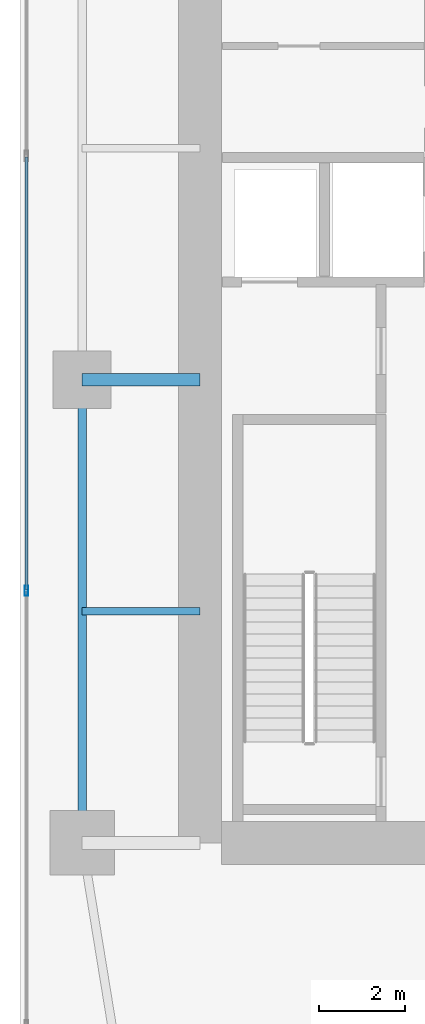
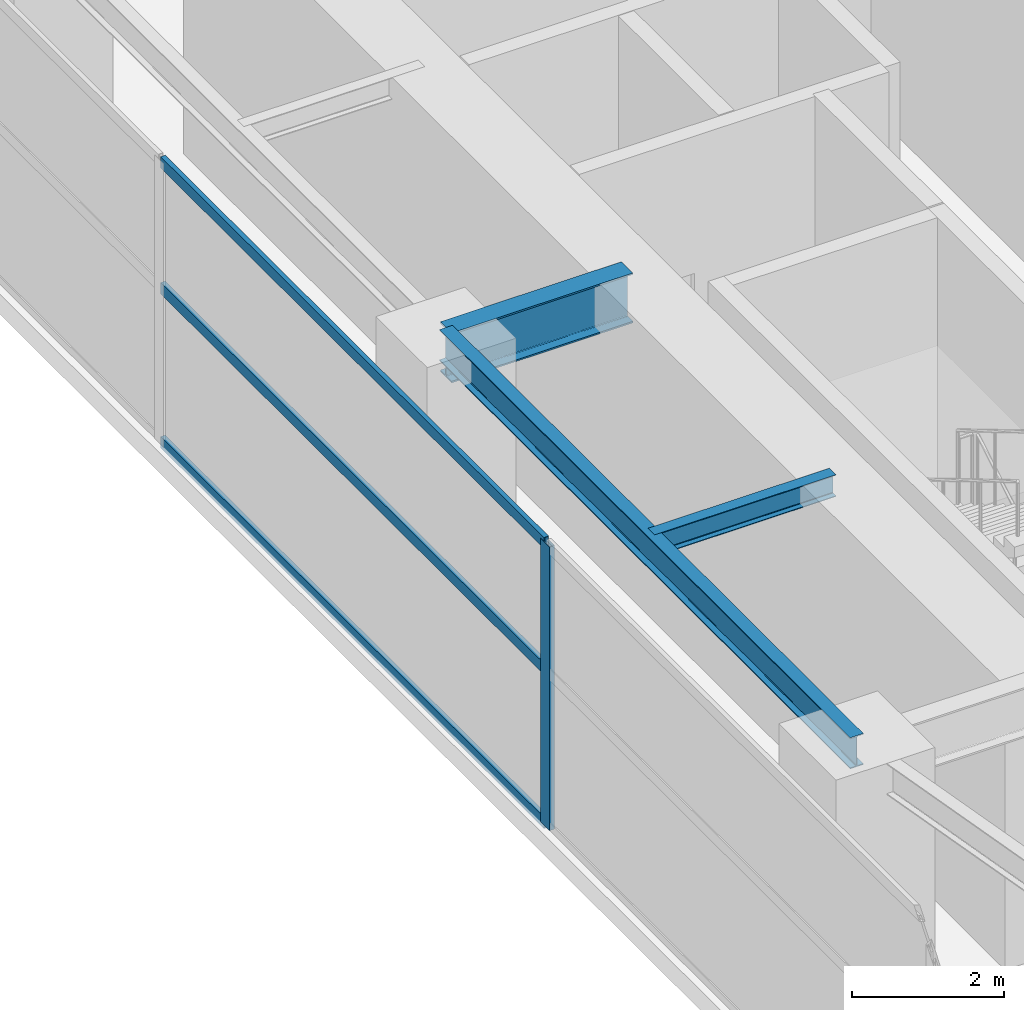
# One storey, part 9 of 30: 4 members, 3 beams, 1 element without a shape of its own.
"""IFC4 building model written with IfcOpenShell, lengths in metres."""

from ifc_helpers import new_model, si_unit, direction, frame, origin, origin_2d, place, context, subcontext, project, spatial, hollow_rectangle, i_section, extrude, material, layer, layer_set, material_profile, profile_set, type_object, element, aggregate, save


model = new_model("IFC4")

# Units and contexts
model_context = context("Model", 3, precision=1e-05, world=origin(), true_north=direction((0.0, 1.0)))
body_context = subcontext(model_context, "Body", "Model", "MODEL_VIEW")
ifc_project = project(units=[si_unit("LENGTHUNIT", "METRE"), si_unit("AREAUNIT", "SQUARE_METRE"), si_unit("VOLUMEUNIT", "CUBIC_METRE"), si_unit("PLANEANGLEUNIT", "RADIAN"), si_unit("MASSUNIT", "GRAM", prefix="KILO")], contexts=[model_context])

# Site, building, storey
site_placement = place(None, origin())
site = spatial("IfcSite", under=ifc_project, at=site_placement, CompositionType="ELEMENT")
building_placement = place(site_placement, origin())
building = spatial("IfcBuilding", under=site, at=building_placement, Name="Calvorn Quay Hotel", CompositionType="ELEMENT")
storey_placement = place(building_placement, frame((0.0, 0.0, 17.0)))
storey = spatial("IfcBuildingStorey", under=building, at=storey_placement, Name="L03", CompositionType="ELEMENT", Elevation=17.0)

# Beams
ifc_material_1 = material(Name="Steel Q390GJC", Category="steel")
ifc_material_profile_1 = material_profile(ifc_material_1, i_section(OverallWidth=0.300048828125, OverallDepth=0.800048828125, WebThickness=0.013916015625, FlangeThickness=0.02587890625, FilletRadius=0.02392578125, at=origin_2d()), Name="HN800x300x14x26")
ifc_profile_set_1 = profile_set([ifc_material_profile_1], Name="Steel Q390GJC")
beam_type_1 = type_object("IfcBeamType", Name="BM-GIRD-POD", PredefinedType="BEAM", material=ifc_profile_set_1)
beam_1_placement = place(storey_placement, frame((1.449951171875, 27.60009765625, 4.14990234375), z_axis=(1.0, 0.0, 0.0), x_axis=(0.0, 1.0, 0.0)))
element("IfcBeam", 1, at=beam_1_placement, inside=storey, type_object=beam_type_1, Name="Beam BG-L03-W2", PredefinedType="BEAM", context=body_context, shape_type="SweptSolid", body=[
    extrude(i_section(OverallWidth=0.300048828125, OverallDepth=0.800048828125, WebThickness=0.013916015625, FlangeThickness=0.02587890625, FilletRadius=0.02392578125, at=origin_2d()), origin(), (0.0, 0.0, 1.0), 2.75),
])
ifc_material_2 = material(Name="Steel Q355B", Category="steel")
ifc_material_profile_2 = material_profile(ifc_material_2, i_section(OverallWidth=0.175048828125, OverallDepth=0.35009765625, WebThickness=0.007080078125, FlangeThickness=0.010986328125, FilletRadius=0.013916015625, at=origin_2d()), Name="HN350x175x7x11")
ifc_profile_set_2 = profile_set([ifc_material_profile_2], Name="Steel Q355B")
beam_type_2 = type_object("IfcBeamType", Name="BM-JOIST-SEC", PredefinedType="JOIST", material=ifc_profile_set_2)
beam_2_placement = place(storey_placement, frame((1.449951171875, 22.199951171875, 4.375), z_axis=(1.0, 0.0, 0.0), x_axis=(0.0, 1.0, 0.0)))
element("IfcBeam", 2, at=beam_2_placement, inside=storey, type_object=beam_type_2, Name="Beam BJ-L03-W3", PredefinedType="JOIST", context=body_context, shape_type="SweptSolid", body=[
    extrude(i_section(OverallWidth=0.175048828125, OverallDepth=0.35009765625, WebThickness=0.007080078125, FlangeThickness=0.010986328125, FilletRadius=0.013916015625, at=origin_2d()), origin(), (0.0, 0.0, 1.0), 2.75),
])
ifc_material_3 = material(Name="Steel Q355B", Category="steel")
ifc_material_profile_3 = material_profile(ifc_material_3, i_section(OverallWidth=0.199951171875, OverallDepth=0.5, WebThickness=0.010009765625, FlangeThickness=0.01611328125, FilletRadius=0.01611328125, at=origin_2d()), Name="HN500x200x10x16")
ifc_profile_set_3 = profile_set([ifc_material_profile_3], Name="Steel Q355B")
beam_type_3 = type_object("IfcBeamType", Name="BM-SPANDREL-Z1", PredefinedType="SPANDREL", material=ifc_profile_set_3)
beam_3_placement = place(storey_placement, frame((1.449951171875, 16.800048828125, 4.300048828125), z_axis=(0.0, 1.0, 0.0), x_axis=(-1.0, 0.0, 0.0)))
element("IfcBeam", 3, at=beam_3_placement, inside=storey, type_object=beam_type_3, Name="Beam BSP-L03-W2", PredefinedType="SPANDREL", context=body_context, shape_type="SweptSolid", body=[
    extrude(i_section(OverallWidth=0.199951171875, OverallDepth=0.5, WebThickness=0.010009765625, FlangeThickness=0.01611328125, FilletRadius=0.01611328125, at=origin_2d()), origin(), (0.0, 0.0, 1.0), 10.800048828125),
])

# Curtain wall, members
ifc_material_4 = material(Name="Pale Anodised Aluminium and Low-E Glass", Category="aluminium")
ifc_layer = layer(ifc_material_4, 0.219970703125)
ifc_layer_set = layer_set([ifc_layer], Name="CW-SYS-POD")
curtain_wall_type = type_object("IfcCurtainWallType", Name="CW-SYS-POD", PredefinedType="NOTDEFINED", material=ifc_layer_set)
curtain_wall_placement = place(storey_placement, origin())
curtain_wall = element("IfcCurtainWall", 4, at=curtain_wall_placement, inside=storey, type_object=curtain_wall_type, Name="Podium Curtain Wall L03-W1", PredefinedType="NOTDEFINED")
ifc_material_5 = material(Name="Pale Anodised Aluminium 6063-T6", Category="aluminium")
ifc_material_profile_4 = material_profile(ifc_material_5, hollow_rectangle(XDim=0.080078125, YDim=0.239990234375, WallThickness=0.0048828125, at=origin_2d()), Name="ALU-M240x80x5")
ifc_profile_set_4 = profile_set([ifc_material_profile_4], Name="Pale Anodised Aluminium 6063-T6")
member_type_1 = type_object("IfcMemberType", Name="CW-SYS-POD-MUL", PredefinedType="MULLION", material=ifc_profile_set_4)
member_1_placement = place(storey_placement, frame((0.14990234375, 22.679931640625, 0.0), z_axis=(0.0, 0.0, 1.0), x_axis=(-1.0, 0.0, 0.0)))
member_1 = element("IfcMember", 5, at=member_1_placement, type_object=member_type_1, Name="CW-L03-W1 mullion 3", PredefinedType="MULLION", context=body_context, shape_type="SweptSolid", body=[
    extrude(hollow_rectangle(XDim=0.080078125, YDim=0.239990234375, WallThickness=0.0048828125, at=origin_2d()), origin(), (0.0, 0.0, 1.0), 4.550048828125),
])
ifc_material_6 = material(Name="Pale Anodised Aluminium 6063-T6", Category="aluminium")
ifc_material_profile_5 = material_profile(ifc_material_6, hollow_rectangle(XDim=0.070068359375, YDim=0.179931640625, WallThickness=0.00390625, at=origin_2d()), Name="ALU-T180x70x4")
ifc_profile_set_5 = profile_set([ifc_material_profile_5], Name="Pale Anodised Aluminium 6063-T6")
member_type_2 = type_object("IfcMemberType", Name="CW-SYS-POD-TRN", PredefinedType="USERDEFINED", material=ifc_profile_set_5)
member_2_placement = place(storey_placement, frame((0.14990234375, 22.7099609375, 0.030029296875), z_axis=(0.0, 1.0, 0.0), x_axis=(-1.0, 0.0, 0.0)))
member_2 = element("IfcMember", 6, at=member_2_placement, type_object=member_type_2, Name="CW-L03-W1 transom 3.1", ObjectType="TRANSOM", PredefinedType="USERDEFINED", context=body_context, shape_type="SweptSolid", body=[
    extrude(hollow_rectangle(XDim=0.070068359375, YDim=0.179931640625, WallThickness=0.00390625, at=origin_2d()), origin(), (0.0, 0.0, 1.0), 10.080078125),
])
member_3_placement = place(storey_placement, frame((0.14990234375, 22.7099609375, 2.5), z_axis=(0.0, 1.0, 0.0), x_axis=(-1.0, 0.0, 0.0)))
member_3 = element("IfcMember", 7, at=member_3_placement, type_object=member_type_2, Name="CW-L03-W1 transom 3.2", ObjectType="TRANSOM", PredefinedType="USERDEFINED", context=body_context, shape_type="SweptSolid", body=[
    extrude(hollow_rectangle(XDim=0.070068359375, YDim=0.179931640625, WallThickness=0.00390625, at=origin_2d()), origin(), (0.0, 0.0, 1.0), 10.080078125),
])
member_4_placement = place(storey_placement, frame((0.14990234375, 22.7099609375, 4.52001953125), z_axis=(0.0, 1.0, 0.0), x_axis=(-1.0, 0.0, 0.0)))
member_4 = element("IfcMember", 8, at=member_4_placement, type_object=member_type_2, Name="CW-L03-W1 transom 3.3", ObjectType="TRANSOM", PredefinedType="USERDEFINED", context=body_context, shape_type="SweptSolid", body=[
    extrude(hollow_rectangle(XDim=0.070068359375, YDim=0.179931640625, WallThickness=0.00390625, at=origin_2d()), origin(), (0.0, 0.0, 1.0), 10.080078125),
])
aggregate(curtain_wall, [member_1, member_2, member_3, member_4])

save(model, "model.ifc")
